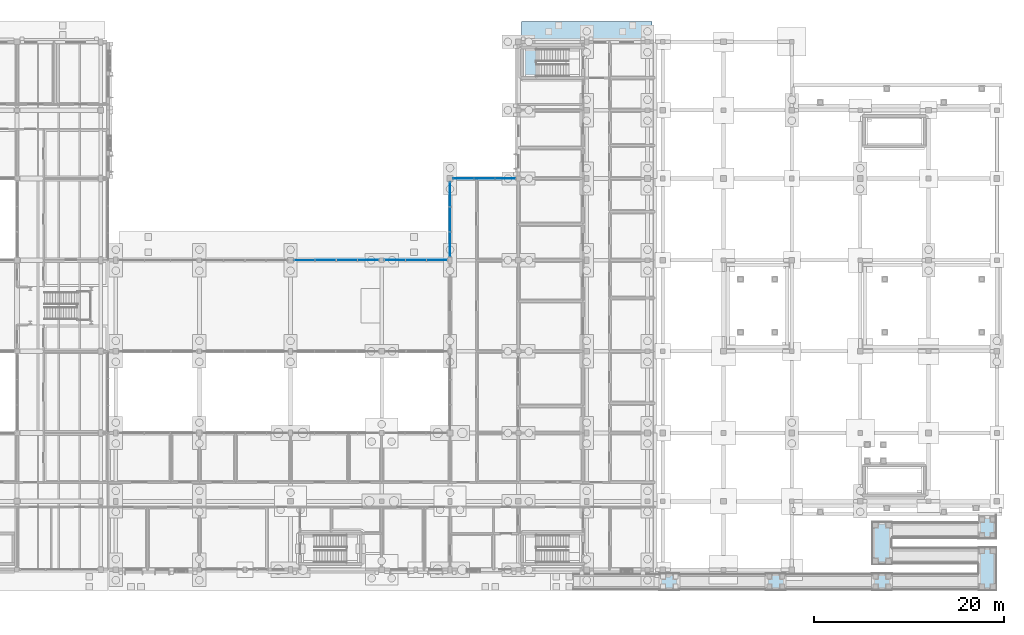
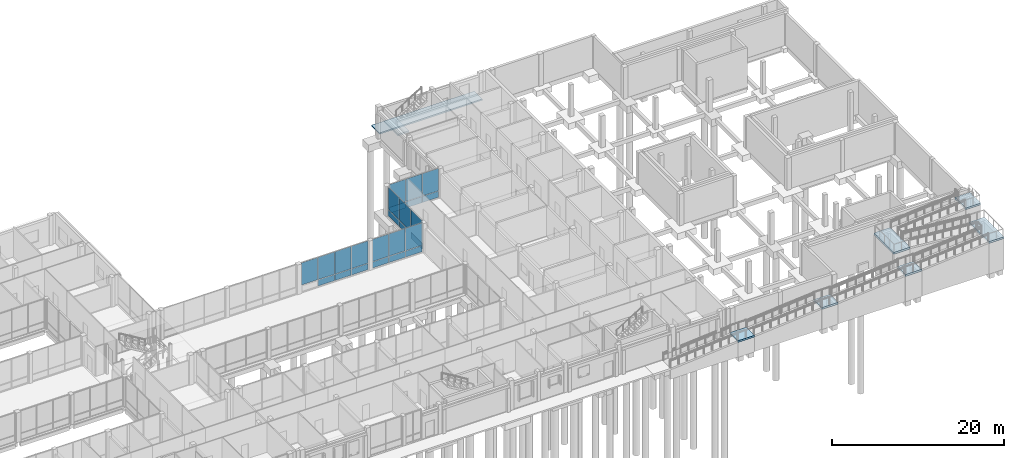
# One storey, part 68 of 104: 25 plates, 8 slabs, 11 elements without a shape of their own.
"""IFC4 building model written with IfcOpenShell, lengths in metres."""

from ifc_helpers import new_model, si_unit, direction, frame, origin, origin_2d, place, context, subcontext, project, spatial, polyline, rectangle, outline, extrude, material, layer, layer_set, type_object, element, aggregate, save


model = new_model("IFC4")

# Units and contexts
model_context = context("Model", 3, precision=1e-05, world=origin(), true_north=direction((0.0, 1.0)))
body_context = subcontext(model_context, "Body", "Model", "MODEL_VIEW")
ifc_project = project(units=[si_unit("LENGTHUNIT", "METRE"), si_unit("AREAUNIT", "SQUARE_METRE"), si_unit("VOLUMEUNIT", "CUBIC_METRE"), si_unit("PLANEANGLEUNIT", "RADIAN"), si_unit("MASSUNIT", "GRAM", prefix="KILO")], contexts=[model_context])

# Site, building, storey
site_placement = place(None, origin())
site = spatial("IfcSite", under=ifc_project, at=site_placement, CompositionType="ELEMENT")
building_placement = place(site_placement, origin())
building = spatial("IfcBuilding", under=site, at=building_placement, Name="Hawrajan Terrace Health Centre", CompositionType="ELEMENT")
storey_placement = place(building_placement, origin())
storey = spatial("IfcBuildingStorey", under=building, at=storey_placement, Name="L00", CompositionType="ELEMENT", Elevation=0.0)

# Curtain wall, plates
ifc_material_1 = material(Name="Anodized bronze aluminium and low-E solar glazing", Category="aluminium")
curtain_wall_type_1 = type_object("IfcCurtainWallType", Name="CW_Bridge_SeriesJ1", PredefinedType="USERDEFINED", material=ifc_material_1)
curtain_wall_1_placement = place(storey_placement, origin())
curtain_wall_1 = element("IfcCurtainWall", 1, at=curtain_wall_1_placement, inside=storey, type_object=curtain_wall_type_1, Name="Curtain wall CW-L00-044", ObjectType="UNITISED CURTAIN WALL", PredefinedType="USERDEFINED")
ifc_material_2 = material(Name="Diffused north-light insulated glazing", Category="glass")
ifc_layer_1 = layer(ifc_material_2, 0.031982421875)
ifc_layer_set_1 = layer_set([ifc_layer_1], Name="Diffused north-light insulated glazing")
plate_type_1 = type_object("IfcPlateType", Name="ClerestoryGlassPanel_32", PredefinedType="CURTAIN_PANEL", material=ifc_layer_set_1)
plate_1_placement = place(storey_placement, frame((92.45947265625, 36.800048828125, 0.981689453125), z_axis=(0.0, 0.0, 1.0), x_axis=(1.0, 0.0, 0.0)))
plate_1 = element("IfcPlate", 2, at=plate_1_placement, type_object=plate_type_1, Name="Curtain panel CW-L00-044-P1-2", PredefinedType="CURTAIN_PANEL", context=body_context, shape_type="SweptSolid", body=[
    extrude(rectangle(XDim=2.1806640625, YDim=0.031982421875, at=origin_2d()), origin(), (0.0, 0.0, 1.0), 3.1494140625),
])
plate_2_placement = place(storey_placement, frame((94.703125, 36.800048828125, 0.981689453125), z_axis=(0.0, 0.0, 1.0), x_axis=(1.0, 0.0, 0.0)))
plate_2 = element("IfcPlate", 3, at=plate_2_placement, type_object=plate_type_1, Name="Curtain panel CW-L00-044-P2-2", PredefinedType="CURTAIN_PANEL", context=body_context, shape_type="SweptSolid", body=[
    extrude(rectangle(XDim=2.1806640625, YDim=0.031982421875, at=origin_2d()), origin(), (0.0, 0.0, 1.0), 3.1494140625),
])
plate_3_placement = place(storey_placement, frame((96.947021484375, 36.800048828125, 0.981689453125), z_axis=(0.0, 0.0, 1.0), x_axis=(1.0, 0.0, 0.0)))
plate_3 = element("IfcPlate", 4, at=plate_3_placement, type_object=plate_type_1, Name="Curtain panel CW-L00-044-P3-2", PredefinedType="CURTAIN_PANEL", context=body_context, shape_type="SweptSolid", body=[
    extrude(rectangle(XDim=2.180908203125, YDim=0.031982421875, at=origin_2d()), origin(), (0.0, 0.0, 1.0), 3.1494140625),
])
plate_4_placement = place(storey_placement, frame((99.190673828125, 36.800048828125, 0.981689453125), z_axis=(0.0, 0.0, 1.0), x_axis=(1.0, 0.0, 0.0)))
plate_4 = element("IfcPlate", 5, at=plate_4_placement, type_object=plate_type_1, Name="Curtain panel CW-L00-044-P4-2", PredefinedType="CURTAIN_PANEL", context=body_context, shape_type="SweptSolid", body=[
    extrude(rectangle(XDim=2.180908203125, YDim=0.031982421875, at=origin_2d()), origin(), (0.0, 0.0, 1.0), 3.1494140625),
])

curtain_wall_type_2 = type_object("IfcCurtainWallType", Name="CW_Diagnostic_SeriesM1", PredefinedType="USERDEFINED", material=ifc_material_1)
curtain_wall_2_placement = place(storey_placement, origin())
curtain_wall_2 = element("IfcCurtainWall", 6, at=curtain_wall_2_placement, inside=storey, type_object=curtain_wall_type_2, Name="Curtain wall CW-L00-047", ObjectType="UNITISED CURTAIN WALL", PredefinedType="USERDEFINED")
plate_5_placement = place(storey_placement, frame((101.995849609375, 36.800048828125, 0.981689453125), z_axis=(0.0, 0.0, 1.0), x_axis=(1.0, 0.0, 0.0)))
plate_5 = element("IfcPlate", 7, at=plate_5_placement, type_object=plate_type_1, Name="Curtain panel CW-L00-047-P1-2", PredefinedType="CURTAIN_PANEL", context=body_context, shape_type="SweptSolid", body=[
    extrude(rectangle(XDim=2.15380859375, YDim=0.031982421875, at=origin_2d()), origin(), (0.0, 0.0, 1.0), 3.1494140625),
])
plate_6_placement = place(storey_placement, frame((104.21240234375, 36.800048828125, 0.981689453125), z_axis=(0.0, 0.0, 1.0), x_axis=(1.0, 0.0, 0.0)))
plate_6 = element("IfcPlate", 8, at=plate_6_placement, type_object=plate_type_1, Name="Curtain panel CW-L00-047-P2-2", PredefinedType="CURTAIN_PANEL", context=body_context, shape_type="SweptSolid", body=[
    extrude(rectangle(XDim=2.15380859375, YDim=0.031982421875, at=origin_2d()), origin(), (0.0, 0.0, 1.0), 3.1494140625),
])
plate_7_placement = place(storey_placement, frame((106.42919921875, 36.800048828125, 0.981689453125), z_axis=(0.0, 0.0, 1.0), x_axis=(1.0, 0.0, 0.0)))
plate_7 = element("IfcPlate", 9, at=plate_7_placement, type_object=plate_type_1, Name="Curtain panel CW-L00-047-P3-2", PredefinedType="CURTAIN_PANEL", context=body_context, shape_type="SweptSolid", body=[
    extrude(rectangle(XDim=2.15380859375, YDim=0.031982421875, at=origin_2d()), origin(), (0.0, 0.0, 1.0), 3.1494140625),
])

curtain_wall_type_3 = type_object("IfcCurtainWallType", Name="CW_Court_SeriesA2", PredefinedType="USERDEFINED", material=ifc_material_1)
curtain_wall_3_placement = place(storey_placement, origin())
curtain_wall_3 = element("IfcCurtainWall", 10, at=curtain_wall_3_placement, inside=storey, type_object=curtain_wall_type_3, Name="Curtain wall CW-L00-050", ObjectType="UNITISED CURTAIN WALL", PredefinedType="USERDEFINED")
plate_8_placement = place(storey_placement, frame((107.800048828125, 38.479248046875, 0.981689453125), z_axis=(0.0, 0.0, 1.0), x_axis=(0.0, 1.0, 0.0)))
plate_8 = element("IfcPlate", 11, at=plate_8_placement, type_object=plate_type_1, Name="Curtain panel CW-L00-050-P1-2", PredefinedType="CURTAIN_PANEL", context=body_context, shape_type="SweptSolid", body=[
    extrude(rectangle(XDim=2.5703125, YDim=0.031982421875, at=origin_2d()), origin(), (0.0, 0.0, 1.0), 3.1494140625),
])
plate_9_placement = place(storey_placement, frame((107.800048828125, 41.112548828125, 0.981689453125), z_axis=(0.0, 0.0, 1.0), x_axis=(0.0, 1.0, 0.0)))
plate_9 = element("IfcPlate", 12, at=plate_9_placement, type_object=plate_type_1, Name="Curtain panel CW-L00-050-P2-2", PredefinedType="CURTAIN_PANEL", context=body_context, shape_type="SweptSolid", body=[
    extrude(rectangle(XDim=2.5703125, YDim=0.031982421875, at=origin_2d()), origin(), (0.0, 0.0, 1.0), 3.1494140625),
])
plate_10_placement = place(storey_placement, frame((107.800048828125, 43.745849609375, 0.981689453125), z_axis=(0.0, 0.0, 1.0), x_axis=(0.0, 1.0, 0.0)))
plate_10 = element("IfcPlate", 13, at=plate_10_placement, type_object=plate_type_1, Name="Curtain panel CW-L00-050-P3-2", PredefinedType="CURTAIN_PANEL", context=body_context, shape_type="SweptSolid", body=[
    extrude(rectangle(XDim=2.5703125, YDim=0.031982421875, at=origin_2d()), origin(), (0.0, 0.0, 1.0), 3.1494140625),
])

# Ramp, slab
ifc_material_3 = material(Name="Concrete C40/50", Category="concrete")
ramp_type = type_object("IfcRampType", Name="GardenRamp_Assembly", PredefinedType="STRAIGHT_RUN_RAMP", material=ifc_material_3)
ramp_1_placement = place(storey_placement, origin())
ramp_1 = element("IfcRamp", 14, at=ramp_1_placement, inside=storey, type_object=ramp_type, Name="Accessible pedestrian garden ramp AR-01", PredefinedType="STRAIGHT_RUN_RAMP")
ifc_layer_2 = layer(ifc_material_3, 0.25)
ifc_layer_set_2 = layer_set([ifc_layer_2], Name="Concrete C40/50")
slab_type_1 = type_object("IfcSlabType", Name="RampLanding_RC250", PredefinedType="LANDING", material=ifc_layer_set_2)
slab_1_placement = place(storey_placement, frame((0.0, 0.0, 0.5)))
slab_1 = element("IfcSlab", 15, at=slab_1_placement, type_object=slab_type_1, Name="Accessible ramp landing AR-01-L1", PredefinedType="LANDING", context=body_context, shape_type="SweptSolid", body=[
    extrude(outline(polyline([(129.800048828125, 2.0), (132.0, 2.0), (132.0, 3.89990234375), (129.800048828125, 3.89990234375), (129.800048828125, 2.0)])), origin(), (0.0, 0.0, 1.0), 0.25),
])
aggregate(ramp_1, [slab_1])

ramp_2_placement = place(storey_placement, origin())
ramp_2 = element("IfcRamp", 16, at=ramp_2_placement, inside=storey, type_object=ramp_type, Name="Accessible pedestrian garden ramp AR-02", PredefinedType="STRAIGHT_RUN_RAMP")
slab_2_placement = place(storey_placement, frame((0.0, 0.0, 1.25)))
slab_2 = element("IfcSlab", 17, at=slab_2_placement, type_object=slab_type_1, Name="Accessible ramp landing AR-02-L1", PredefinedType="LANDING", context=body_context, shape_type="SweptSolid", body=[
    extrude(outline(polyline([(141.0, 2.0), (143.199951171875, 2.0), (143.199951171875, 3.89990234375), (141.0, 3.89990234375), (141.0, 2.0)])), origin(), (0.0, 0.0, 1.0), 0.25),
])
aggregate(ramp_2, [slab_2])

ramp_3_placement = place(storey_placement, origin())
ramp_3 = element("IfcRamp", 18, at=ramp_3_placement, inside=storey, type_object=ramp_type, Name="Accessible pedestrian garden ramp AR-03", PredefinedType="STRAIGHT_RUN_RAMP")
slab_3_placement = place(storey_placement, frame((0.0, 0.0, 2.0)))
slab_3 = element("IfcSlab", 19, at=slab_3_placement, type_object=slab_type_1, Name="Accessible ramp landing AR-03-L1", PredefinedType="LANDING", context=body_context, shape_type="SweptSolid", body=[
    extrude(outline(polyline([(152.199951171875, 2.0), (154.39990234375, 2.0), (154.39990234375, 3.89990234375), (152.199951171875, 3.89990234375), (152.199951171875, 2.0)])), origin(), (0.0, 0.0, 1.0), 0.25),
])
aggregate(ramp_3, [slab_3])

ramp_4_placement = place(storey_placement, origin())
ramp_4 = element("IfcRamp", 20, at=ramp_4_placement, inside=storey, type_object=ramp_type, Name="Accessible pedestrian garden ramp AR-04", PredefinedType="STRAIGHT_RUN_RAMP")
slab_4_placement = place(storey_placement, frame((0.0, 0.0, 2.75)))
slab_4 = element("IfcSlab", 21, at=slab_4_placement, type_object=slab_type_1, Name="Accessible ramp landing AR-04-L1", PredefinedType="LANDING", context=body_context, shape_type="SweptSolid", body=[
    extrude(outline(polyline([(163.39990234375, 2.0), (165.39990234375, 2.0), (165.39990234375, 6.60009765625), (163.39990234375, 6.60009765625), (163.39990234375, 2.0)])), origin(), (0.0, 0.0, 1.0), 0.25),
])
aggregate(ramp_4, [slab_4])

ramp_5_placement = place(storey_placement, origin())
ramp_5 = element("IfcRamp", 22, at=ramp_5_placement, inside=storey, type_object=ramp_type, Name="Accessible pedestrian garden ramp AR-05", PredefinedType="STRAIGHT_RUN_RAMP")
slab_5_placement = place(storey_placement, frame((0.0, 0.0, 3.5)))
slab_5 = element("IfcSlab", 23, at=slab_5_placement, type_object=slab_type_1, Name="Accessible ramp landing AR-05-L1", PredefinedType="LANDING", context=body_context, shape_type="SweptSolid", body=[
    extrude(outline(polyline([(152.199951171875, 4.699951171875), (154.39990234375, 4.699951171875), (154.39990234375, 9.300048828125), (152.199951171875, 9.300048828125), (152.199951171875, 4.699951171875)])), origin(), (0.0, 0.0, 1.0), 0.25),
])
aggregate(ramp_5, [slab_5])

ramp_6_placement = place(storey_placement, origin())
ramp_6 = element("IfcRamp", 24, at=ramp_6_placement, inside=storey, type_object=ramp_type, Name="Accessible pedestrian garden ramp AR-06", PredefinedType="STRAIGHT_RUN_RAMP")
slab_6_placement = place(storey_placement, frame((0.0, 0.0, 4.25)))
slab_6 = element("IfcSlab", 25, at=slab_6_placement, type_object=slab_type_1, Name="Accessible ramp landing AR-06-L1", PredefinedType="LANDING", context=body_context, shape_type="SweptSolid", body=[
    extrude(outline(polyline([(163.39990234375, 7.39990234375), (165.39990234375, 7.39990234375), (165.39990234375, 9.89990234375), (163.39990234375, 9.89990234375), (163.39990234375, 7.39990234375)])), origin(), (0.0, 0.0, 1.0), 0.25),
])
aggregate(ramp_6, [slab_6])

# Slab
ifc_layer_3 = layer(ifc_material_3, 0.199951171875)
ifc_layer_set_3 = layer_set([ifc_layer_3], Name="Concrete C40/50")
slab_type_2 = type_object("IfcSlabType", Name="SiteApronPaving_RC200", PredefinedType="BASESLAB", material=ifc_layer_set_3)
slab_7_placement = place(storey_placement, frame((0.0, 0.0, -0.199951171875)))
element("IfcSlab", 26, at=slab_7_placement, inside=storey, type_object=slab_type_2, Name="North-east diagnostic exit apron APRON-L00-NE", PredefinedType="BASESLAB", context=body_context, shape_type="SweptSolid", body=[
    extrude(outline(polyline([(115.31005859375, 60.110107421875), (129.090087890625, 60.110107421875), (129.090087890625, 61.949951171875), (115.31005859375, 61.949951171875), (115.31005859375, 60.110107421875)])), origin(), (0.0, 0.0, 1.0), 0.199951171875),
])

# Plate
ifc_material_4 = material(Name="Insulated anodized bronze spandrel panel")
ifc_layer_4 = layer(ifc_material_4, 0.048095703125)
ifc_layer_set_4 = layer_set([ifc_layer_4], Name="Insulated anodized bronze spandrel panel")
plate_type_2 = type_object("IfcPlateType", Name="SpandrelPanel_Bronze48", PredefinedType="CURTAIN_PANEL", material=ifc_layer_set_4)
plate_11_placement = place(storey_placement, frame((94.703125, 36.800048828125, 0.06884765625), z_axis=(0.0, 0.0, 1.0), x_axis=(1.0, 0.0, 0.0)))
plate_11 = element("IfcPlate", 27, at=plate_11_placement, type_object=plate_type_2, Name="Curtain panel CW-L00-044-P2-1", PredefinedType="CURTAIN_PANEL", context=body_context, shape_type="SweptSolid", body=[
    extrude(rectangle(XDim=2.1806640625, YDim=0.048095703125, at=origin_2d()), origin(), (0.0, 0.0, 1.0), 0.849609375),
])

plate_12_placement = place(storey_placement, frame((96.947021484375, 36.800048828125, 0.06884765625), z_axis=(0.0, 0.0, 1.0), x_axis=(1.0, 0.0, 0.0)))
plate_12 = element("IfcPlate", 28, at=plate_12_placement, type_object=plate_type_2, Name="Curtain panel CW-L00-044-P3-1", PredefinedType="CURTAIN_PANEL", context=body_context, shape_type="SweptSolid", body=[
    extrude(rectangle(XDim=2.180908203125, YDim=0.048095703125, at=origin_2d()), origin(), (0.0, 0.0, 1.0), 0.849609375),
])

plate_13_placement = place(storey_placement, frame((99.190673828125, 36.800048828125, 0.06884765625), z_axis=(0.0, 0.0, 1.0), x_axis=(1.0, 0.0, 0.0)))
plate_13 = element("IfcPlate", 29, at=plate_13_placement, type_object=plate_type_2, Name="Curtain panel CW-L00-044-P4-1", PredefinedType="CURTAIN_PANEL", context=body_context, shape_type="SweptSolid", body=[
    extrude(rectangle(XDim=2.180908203125, YDim=0.048095703125, at=origin_2d()), origin(), (0.0, 0.0, 1.0), 0.849609375),
])

aggregate(curtain_wall_1, [plate_1, plate_11, plate_2, plate_12, plate_3, plate_13, plate_4])

plate_14_placement = place(storey_placement, frame((107.800048828125, 38.479248046875, 0.06884765625), z_axis=(0.0, 0.0, 1.0), x_axis=(0.0, 1.0, 0.0)))
plate_14 = element("IfcPlate", 30, at=plate_14_placement, type_object=plate_type_2, Name="Curtain panel CW-L00-050-P1-1", PredefinedType="CURTAIN_PANEL", context=body_context, shape_type="SweptSolid", body=[
    extrude(rectangle(XDim=2.5703125, YDim=0.048095703125, at=origin_2d()), origin(), (0.0, 0.0, 1.0), 0.849609375),
])

plate_15_placement = place(storey_placement, frame((107.800048828125, 41.112548828125, 0.06884765625), z_axis=(0.0, 0.0, 1.0), x_axis=(0.0, 1.0, 0.0)))
plate_15 = element("IfcPlate", 31, at=plate_15_placement, type_object=plate_type_2, Name="Curtain panel CW-L00-050-P2-1", PredefinedType="CURTAIN_PANEL", context=body_context, shape_type="SweptSolid", body=[
    extrude(rectangle(XDim=2.5703125, YDim=0.048095703125, at=origin_2d()), origin(), (0.0, 0.0, 1.0), 0.849609375),
])

plate_16_placement = place(storey_placement, frame((107.800048828125, 43.745849609375, 0.06884765625), z_axis=(0.0, 0.0, 1.0), x_axis=(0.0, 1.0, 0.0)))
plate_16 = element("IfcPlate", 32, at=plate_16_placement, type_object=plate_type_2, Name="Curtain panel CW-L00-050-P3-1", PredefinedType="CURTAIN_PANEL", context=body_context, shape_type="SweptSolid", body=[
    extrude(rectangle(XDim=2.5703125, YDim=0.048095703125, at=origin_2d()), origin(), (0.0, 0.0, 1.0), 0.849609375),
])

aggregate(curtain_wall_3, [plate_14, plate_8, plate_15, plate_9, plate_16, plate_10])

ifc_material_5 = material(Name="Insulated reconstituted coral-stone spandrel", Category="masonry")
ifc_layer_5 = layer(ifc_material_5, 0.055908203125)
ifc_layer_set_5 = layer_set([ifc_layer_5], Name="Insulated reconstituted coral-stone spandrel")
plate_type_3 = type_object("IfcPlateType", Name="SpandrelPanel_Coral56", PredefinedType="CURTAIN_PANEL", material=ifc_layer_set_5)
plate_17_placement = place(storey_placement, frame((101.995849609375, 36.800048828125, 0.06884765625), z_axis=(0.0, 0.0, 1.0), x_axis=(1.0, 0.0, 0.0)))
plate_17 = element("IfcPlate", 33, at=plate_17_placement, type_object=plate_type_3, Name="Curtain panel CW-L00-047-P1-1", PredefinedType="CURTAIN_PANEL", context=body_context, shape_type="SweptSolid", body=[
    extrude(rectangle(XDim=2.15380859375, YDim=0.055908203125, at=origin_2d()), origin(), (0.0, 0.0, 1.0), 0.849609375),
])

plate_18_placement = place(storey_placement, frame((104.21240234375, 36.800048828125, 0.06884765625), z_axis=(0.0, 0.0, 1.0), x_axis=(1.0, 0.0, 0.0)))
plate_18 = element("IfcPlate", 34, at=plate_18_placement, type_object=plate_type_3, Name="Curtain panel CW-L00-047-P2-1", PredefinedType="CURTAIN_PANEL", context=body_context, shape_type="SweptSolid", body=[
    extrude(rectangle(XDim=2.15380859375, YDim=0.055908203125, at=origin_2d()), origin(), (0.0, 0.0, 1.0), 0.849609375),
])

plate_19_placement = place(storey_placement, frame((106.42919921875, 36.800048828125, 0.06884765625), z_axis=(0.0, 0.0, 1.0), x_axis=(1.0, 0.0, 0.0)))
plate_19 = element("IfcPlate", 35, at=plate_19_placement, type_object=plate_type_3, Name="Curtain panel CW-L00-047-P3-1", PredefinedType="CURTAIN_PANEL", context=body_context, shape_type="SweptSolid", body=[
    extrude(rectangle(XDim=2.15380859375, YDim=0.055908203125, at=origin_2d()), origin(), (0.0, 0.0, 1.0), 0.849609375),
])

aggregate(curtain_wall_2, [plate_17, plate_5, plate_18, plate_6, plate_19, plate_7])

# Curtain wall, plates
curtain_wall_type_4 = type_object("IfcCurtainWallType", Name="CW_Court_SeriesA1", PredefinedType="USERDEFINED", material=ifc_material_1)
curtain_wall_4_placement = place(storey_placement, origin())
curtain_wall_4 = element("IfcCurtainWall", 36, at=curtain_wall_4_placement, inside=storey, type_object=curtain_wall_type_4, Name="Curtain wall CW-L00-049", ObjectType="UNITISED CURTAIN WALL", PredefinedType="USERDEFINED")
plate_20_placement = place(storey_placement, frame((109.22998046875, 45.39990234375, 0.05908203125), z_axis=(0.0, 0.0, 1.0), x_axis=(1.0, 0.0, 0.0)))
plate_20 = element("IfcPlate", 37, at=plate_20_placement, type_object=plate_type_3, Name="Curtain panel CW-L00-049-P1-1", PredefinedType="CURTAIN_PANEL", context=body_context, shape_type="SweptSolid", body=[
    extrude(rectangle(XDim=2.14208984375, YDim=0.055908203125, at=origin_2d()), origin(), (0.0, 0.0, 1.0), 0.864501953125),
])
plate_21_placement = place(storey_placement, frame((111.425048828125, 45.39990234375, 0.05908203125), z_axis=(0.0, 0.0, 1.0), x_axis=(1.0, 0.0, 0.0)))
plate_21 = element("IfcPlate", 38, at=plate_21_placement, type_object=plate_type_3, Name="Curtain panel CW-L00-049-P2-1", PredefinedType="CURTAIN_PANEL", context=body_context, shape_type="SweptSolid", body=[
    extrude(rectangle(XDim=2.14208984375, YDim=0.055908203125, at=origin_2d()), origin(), (0.0, 0.0, 1.0), 0.864501953125),
])
plate_22_placement = place(storey_placement, frame((113.6201171875, 45.39990234375, 0.05908203125), z_axis=(0.0, 0.0, 1.0), x_axis=(1.0, 0.0, 0.0)))
plate_22 = element("IfcPlate", 39, at=plate_22_placement, type_object=plate_type_3, Name="Curtain panel CW-L00-049-P3-1", PredefinedType="CURTAIN_PANEL", context=body_context, shape_type="SweptSolid", body=[
    extrude(rectangle(XDim=2.14208984375, YDim=0.055908203125, at=origin_2d()), origin(), (0.0, 0.0, 1.0), 0.864501953125),
])

# Stair, slab
stair_type = type_object("IfcStairType", Name="Stair_4500_W1300", PredefinedType="HALF_TURN_STAIR", material=ifc_material_3)
stair_placement = place(storey_placement, origin())
stair = element("IfcStair", 40, at=stair_placement, inside=storey, type_object=stair_type, Name="Stair ST-7-L00", PredefinedType="HALF_TURN_STAIR")
ifc_layer_6 = layer(ifc_material_3, 0.219970703125)
ifc_layer_set_6 = layer_set([ifc_layer_6], Name="Concrete C40/50")
slab_type_3 = type_object("IfcSlabType", Name="StairLanding_RC220", PredefinedType="LANDING", material=ifc_layer_set_6)
slab_8_placement = place(storey_placement, frame((0.0, 0.0, 2.030029296875)))
slab_8 = element("IfcSlab", 41, at=slab_8_placement, type_object=slab_type_3, Name="Stair half landing ST-7-L00-L1", PredefinedType="LANDING", context=body_context, shape_type="SweptSolid", body=[
    extrude(outline(polyline([(115.39990234375, 56.0), (116.89990234375, 56.0), (116.89990234375, 59.199951171875), (115.39990234375, 59.199951171875), (115.39990234375, 56.0)])), origin(), (0.0, 0.0, 1.0), 0.219970703125),
])
aggregate(stair, [slab_8])

# Plate
ifc_material_6 = material(Name="Triple-glazed solar acoustic low-E glass", Category="glass")
ifc_layer_7 = layer(ifc_material_6, 0.035888671875)
ifc_layer_set_7 = layer_set([ifc_layer_7], Name="Triple-glazed solar acoustic low-E glass")
plate_type_4 = type_object("IfcPlateType", Name="VisionGlassPanel_36", PredefinedType="CURTAIN_PANEL", material=ifc_layer_set_7)
plate_23_placement = place(storey_placement, frame((109.22998046875, 45.39990234375, 0.9765625), z_axis=(0.0, 0.0, 1.0), x_axis=(1.0, 0.0, 0.0)))
plate_23 = element("IfcPlate", 42, at=plate_23_placement, type_object=plate_type_4, Name="Curtain panel CW-L00-049-P1-2", PredefinedType="CURTAIN_PANEL", context=body_context, shape_type="SweptSolid", body=[
    extrude(rectangle(XDim=2.14208984375, YDim=0.035888671875, at=origin_2d()), origin(), (0.0, 0.0, 1.0), 3.16455078125),
])

plate_24_placement = place(storey_placement, frame((111.425048828125, 45.39990234375, 0.9765625), z_axis=(0.0, 0.0, 1.0), x_axis=(1.0, 0.0, 0.0)))
plate_24 = element("IfcPlate", 43, at=plate_24_placement, type_object=plate_type_4, Name="Curtain panel CW-L00-049-P2-2", PredefinedType="CURTAIN_PANEL", context=body_context, shape_type="SweptSolid", body=[
    extrude(rectangle(XDim=2.14208984375, YDim=0.035888671875, at=origin_2d()), origin(), (0.0, 0.0, 1.0), 3.16455078125),
])

plate_25_placement = place(storey_placement, frame((113.6201171875, 45.39990234375, 0.9765625), z_axis=(0.0, 0.0, 1.0), x_axis=(1.0, 0.0, 0.0)))
plate_25 = element("IfcPlate", 44, at=plate_25_placement, type_object=plate_type_4, Name="Curtain panel CW-L00-049-P3-2", PredefinedType="CURTAIN_PANEL", context=body_context, shape_type="SweptSolid", body=[
    extrude(rectangle(XDim=2.14208984375, YDim=0.035888671875, at=origin_2d()), origin(), (0.0, 0.0, 1.0), 3.16455078125),
])

aggregate(curtain_wall_4, [plate_20, plate_23, plate_21, plate_24, plate_22, plate_25])

save(model, "model.ifc")
